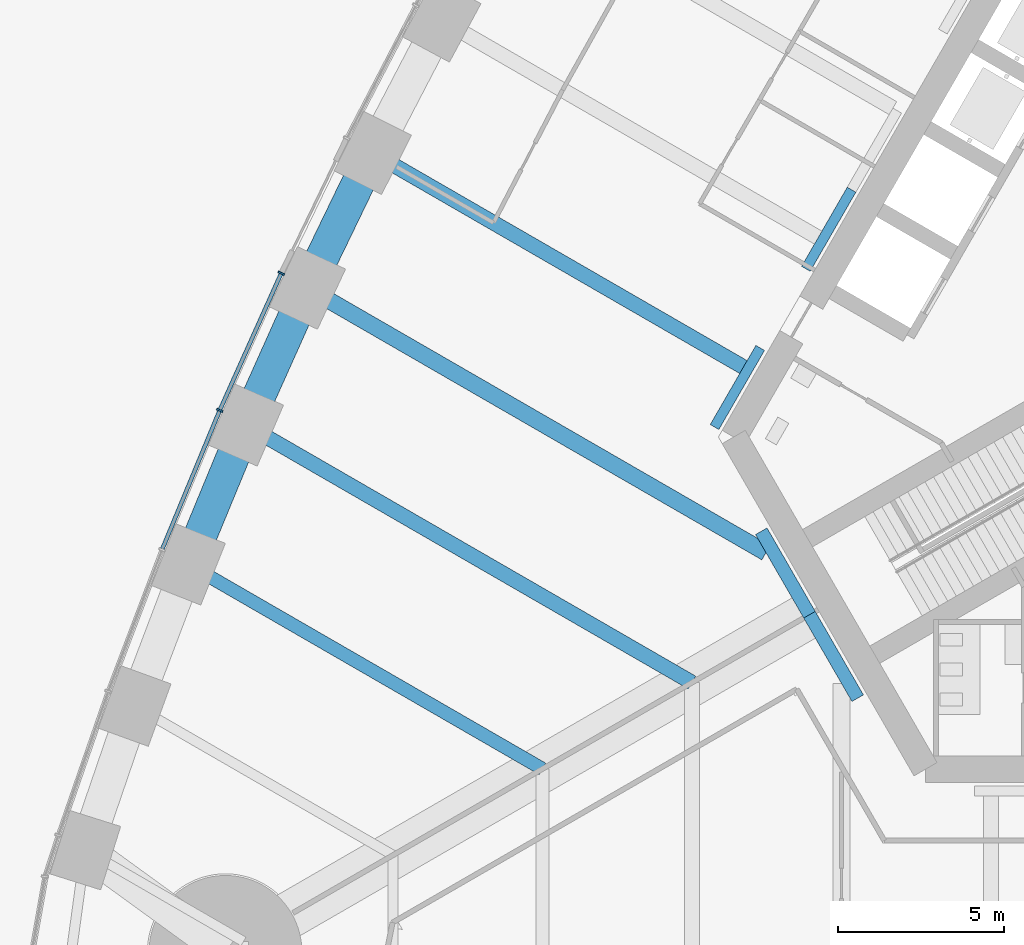
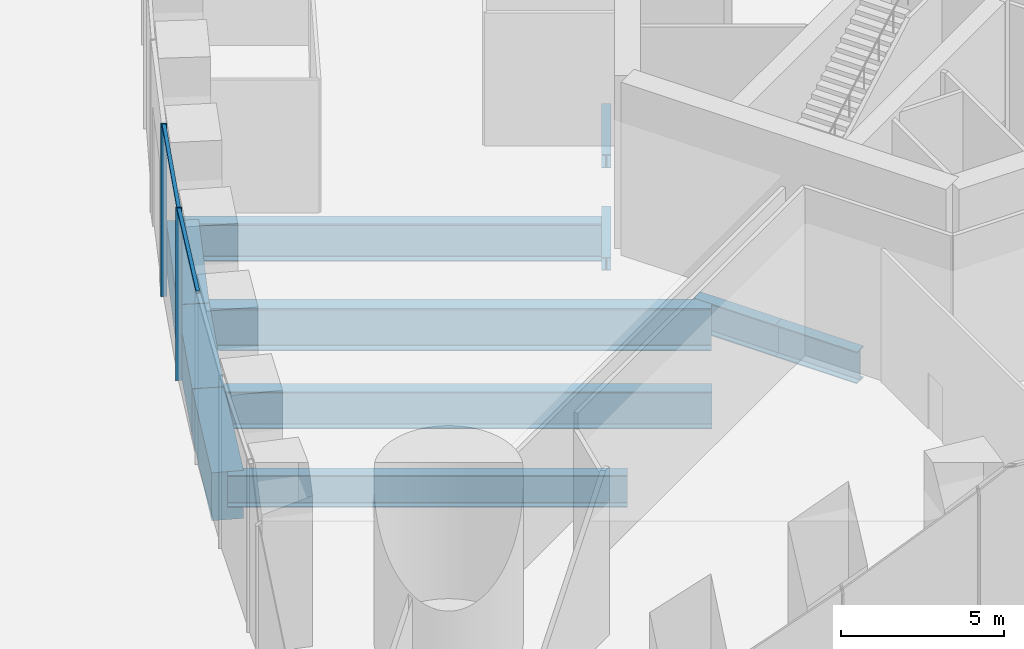
# One storey, part 4 of 43: 11 beams, 4 members, 1 element without a shape of its own.
"""IFC4 building model written with IfcOpenShell, lengths in metres."""

from ifc_helpers import new_model, si_unit, direction, frame, origin, origin_2d, place, context, subcontext, project, spatial, rectangle, i_section, extrude, material, material_profile, profile_set, type_object, element, aggregate, save


model = new_model("IFC4")

# Units and contexts
model_context = context("Model", 3, precision=1e-05, world=origin(), true_north=direction((0.0, 1.0)))
body_context = subcontext(model_context, "Body", "Model", "MODEL_VIEW")
ifc_project = project(units=[si_unit("LENGTHUNIT", "METRE"), si_unit("AREAUNIT", "SQUARE_METRE"), si_unit("VOLUMEUNIT", "CUBIC_METRE"), si_unit("PLANEANGLEUNIT", "RADIAN"), si_unit("MASSUNIT", "GRAM", prefix="KILO")], contexts=[model_context])

# Site, building, storey
site_placement = place(None, origin())
site = spatial("IfcSite", under=ifc_project, at=site_placement, CompositionType="ELEMENT")
building_placement = place(site_placement, origin())
building = spatial("IfcBuilding", under=site, at=building_placement, Name="Trefoil Bronze Tower", CompositionType="ELEMENT")
storey_placement = place(building_placement, origin())
storey = spatial("IfcBuildingStorey", under=building, at=storey_placement, Name="L00", CompositionType="ELEMENT", Elevation=0.0)

# Curtain wall, members
ifc_material_1 = material(Name="Tinted solar-control glass", Category="glass")
curtain_wall_type = type_object("IfcCurtainWallType", Name="Bronze podium storefront curtain wall", PredefinedType="USERDEFINED", material=ifc_material_1)
curtain_wall_placement = place(storey_placement, origin())
curtain_wall = element("IfcCurtainWall", 1, at=curtain_wall_placement, inside=storey, type_object=curtain_wall_type, Name="CW-C L00 F3 run 5", ObjectType="CURTAIN WALL", PredefinedType="USERDEFINED")
ifc_material_2 = material(Name="Bronze-finish aluminium", Category="aluminium")
ifc_material_profile_1 = material_profile(ifc_material_2, rectangle(XDim=0.199951171875, YDim=0.06005859375, at=origin_2d()), Name="CW-C mullion")
ifc_profile_set_1 = profile_set([ifc_material_profile_1], Name="Bronze-finish aluminium")
member_type_1 = type_object("IfcMemberType", Name="Bronze podium storefront curtain wall mullion", PredefinedType="MULLION", material=ifc_profile_set_1)
member_1_placement = place(storey_placement, frame((-30.362548828125, 1.9296875, 0.0), z_axis=(0.0, 0.0, 1.0), x_axis=(0.912329705111, -0.40945635808, 0.0)))
member_1 = element("IfcMember", 2, at=member_1_placement, type_object=member_type_1, Name="CW-C L00 F3 run 5 mullion 1", PredefinedType="MULLION", context=body_context, shape_type="SweptSolid", body=[
    extrude(rectangle(XDim=0.199951171875, YDim=0.06005859375, at=origin_2d()), origin(), (0.0, 0.0, 1.0), 6.47998046875),
])
member_2_placement = place(storey_placement, frame((-32.21533203125, -2.198486328125, 0.0), z_axis=(0.0, 0.0, 1.0), x_axis=(0.918213748442, -0.396085233469, 0.0)))
member_2 = element("IfcMember", 3, at=member_2_placement, type_object=member_type_1, Name="CW-C L00 F3 run 5 mullion 2", PredefinedType="MULLION", context=body_context, shape_type="SweptSolid", body=[
    extrude(rectangle(XDim=0.199951171875, YDim=0.06005859375, at=origin_2d()), origin(), (0.0, 0.0, 1.0), 6.47998046875),
])
ifc_material_3 = material(Name="Bronze-finish aluminium", Category="aluminium")
ifc_material_profile_2 = material_profile(ifc_material_3, rectangle(XDim=0.1201171875, YDim=0.10009765625, at=origin_2d()), Name="CW-C transom")
ifc_profile_set_2 = profile_set([ifc_material_profile_2], Name="Bronze-finish aluminium")
member_type_2 = type_object("IfcMemberType", Name="Bronze podium storefront curtain wall transom", PredefinedType="USERDEFINED", material=ifc_profile_set_2)
member_3_placement = place(storey_placement, frame((-30.374755859375, 1.90234375, 6.429931640625), z_axis=(-0.409454767225, -0.91233041909, 0.0), x_axis=(0.91233041909, -0.409454767225, 0.0)))
member_3 = element("IfcMember", 4, at=member_3_placement, type_object=member_type_2, Name="CW-C L00 F3 run 5 transom 1", ObjectType="TRANSOM", PredefinedType="USERDEFINED", context=body_context, shape_type="SweptSolid", body=[
    extrude(rectangle(XDim=0.1201171875, YDim=0.10009765625, at=origin_2d()), origin(), (0.0, 0.0, 1.0), 4.463623046875),
])
member_4_placement = place(storey_placement, frame((-32.227294921875, -2.2275390625, 6.429931640625), z_axis=(-0.382594106546, -0.923916527418, 0.0), x_axis=(0.923916527418, -0.382594106546, 0.0)))
member_4 = element("IfcMember", 5, at=member_4_placement, type_object=member_type_2, Name="CW-C L00 F3 run 5 transom 2", ObjectType="TRANSOM", PredefinedType="USERDEFINED", context=body_context, shape_type="SweptSolid", body=[
    extrude(rectangle(XDim=0.1201171875, YDim=0.10009765625, at=origin_2d()), origin(), (0.0, 0.0, 1.0), 4.47900390625),
])
aggregate(curtain_wall, [member_1, member_2, member_3, member_4])

# Beams
ifc_material_4 = material(Name="Steel C355", Category="steel")
ifc_material_profile_3 = material_profile(ifc_material_4, i_section(OverallWidth=0.300048828125, OverallDepth=0.5, WebThickness=0.014404296875, FlangeThickness=0.028076171875, FilletRadius=0.027099609375, at=origin_2d()), Name="HEB 500")
ifc_profile_set_3 = profile_set([ifc_material_profile_3], Name="Steel C355")
beam_type_1 = type_object("IfcBeamType", Name="Core seat beam HEB 500", PredefinedType="BEAM", material=ifc_profile_set_3)
beam_1_placement = place(storey_placement, frame((-13.196044921875, 4.44384765625, -0.550048828125), z_axis=(-0.499968400327, -0.866043647095, 0.0), x_axis=(0.866043647095, -0.499968400327, 0.0)))
element("IfcBeam", 6, at=beam_1_placement, inside=storey, type_object=beam_type_1, Name="Core seat beam F3/+1 L00", PredefinedType="BEAM", context=body_context, shape_type="SweptSolid", body=[
    extrude(i_section(OverallWidth=0.300048828125, OverallDepth=0.5, WebThickness=0.014404296875, FlangeThickness=0.028076171875, FilletRadius=0.027099609375, at=origin_2d()), origin(), (0.0, 0.0, 1.0), 2.749755859375),
])
beam_2_placement = place(storey_placement, frame((-15.94580078125, -0.31884765625, -0.550048828125), z_axis=(-0.500006847747, -0.8660214502, 0.0), x_axis=(0.8660214502, -0.500006847747, 0.0)))
element("IfcBeam", 7, at=beam_2_placement, inside=storey, type_object=beam_type_1, Name="Core seat beam F3/+2 L00", PredefinedType="BEAM", context=body_context, shape_type="SweptSolid", body=[
    extrude(i_section(OverallWidth=0.300048828125, OverallDepth=0.5, WebThickness=0.014404296875, FlangeThickness=0.028076171875, FilletRadius=0.027099609375, at=origin_2d()), origin(), (0.0, 0.0, 1.0), 2.74951171875),
])
ifc_material_5 = material(Name="Steel C355", Category="steel")
ifc_material_profile_4 = material_profile(ifc_material_5, i_section(OverallWidth=0.39990234375, OverallDepth=1.199951171875, WebThickness=0.02001953125, FlangeThickness=0.0400390625, FilletRadius=0.010009765625, at=origin_2d()), Name="WPG 1200")
ifc_profile_set_4 = profile_set([ifc_material_profile_4], Name="Steel C355")
beam_type_2 = type_object("IfcBeamType", Name="Core seat beam WPG 1200", PredefinedType="BEAM", material=ifc_profile_set_4)
beam_3_placement = place(storey_placement, frame((-14.462646484375, -8.35009765625, -0.89990234375), z_axis=(0.500030823262, -0.866007607235, 0.0), x_axis=(0.866007607235, 0.500030823262, 0.0)))
element("IfcBeam", 8, at=beam_3_placement, inside=storey, type_object=beam_type_2, Name="Core seat beam F1/-3 L00", PredefinedType="BEAM", context=body_context, shape_type="SweptSolid", body=[
    extrude(i_section(OverallWidth=0.39990234375, OverallDepth=1.199951171875, WebThickness=0.02001953125, FlangeThickness=0.0400390625, FilletRadius=0.010009765625, at=origin_2d()), origin(), (0.0, 0.0, 1.0), 2.901123046875),
])
beam_4_placement = place(storey_placement, frame((-15.913330078125, -5.83740234375, -0.89990234375), z_axis=(0.499994385119, -0.866028645513, 0.0), x_axis=(0.866028645513, 0.499994385119, 0.0)))
element("IfcBeam", 9, at=beam_4_placement, inside=storey, type_object=beam_type_2, Name="Core seat beam F3/+3 L00", PredefinedType="BEAM", context=body_context, shape_type="SweptSolid", body=[
    extrude(i_section(OverallWidth=0.39990234375, OverallDepth=1.199951171875, WebThickness=0.02001953125, FlangeThickness=0.0400390625, FilletRadius=0.010009765625, at=origin_2d()), origin(), (0.0, 0.0, 1.0), 2.9013671875),
])
ifc_material_6 = material(Name="Steel C355", Category="steel")
ifc_material_profile_5 = material_profile(ifc_material_6, i_section(OverallWidth=0.39990234375, OverallDepth=1.199951171875, WebThickness=0.02001953125, FlangeThickness=0.0400390625, FilletRadius=0.010009765625, at=origin_2d()), Name="WPG 1200")
ifc_profile_set_5 = profile_set([ifc_material_profile_5], Name="Steel C355")
beam_type_3 = type_object("IfcBeamType", Name="Floor beam WPG 1200", PredefinedType="BEAM", material=ifc_profile_set_5)
beam_5_placement = place(storey_placement, frame((-33.159912109375, -6.8359375, -0.89990234375), z_axis=(0.866024070878, -0.500002308654, 0.0), x_axis=(0.500002308654, 0.866024070878, 0.0)))
element("IfcBeam", 10, at=beam_5_placement, inside=storey, type_object=beam_type_3, Name="Floor beam F3/+5 L00", PredefinedType="BEAM", context=body_context, shape_type="SweptSolid", body=[
    extrude(i_section(OverallWidth=0.39990234375, OverallDepth=1.199951171875, WebThickness=0.02001953125, FlangeThickness=0.0400390625, FilletRadius=0.010009765625, at=origin_2d()), origin(), (0.0, 0.0, 1.0), 12.30908203125),
])
ifc_material_7 = material(Name="Steel C355", Category="steel")
ifc_material_profile_6 = material_profile(ifc_material_7, i_section(OverallWidth=0.449951171875, OverallDepth=1.39990234375, WebThickness=0.02294921875, FlangeThickness=0.044921875, FilletRadius=0.011962890625, at=origin_2d()), Name="WPG 1400")
ifc_profile_set_6 = profile_set([ifc_material_profile_6], Name="Steel C355")
beam_type_4 = type_object("IfcBeamType", Name="Floor beam WPG 1400", PredefinedType="BEAM", material=ifc_profile_set_6)
beam_6_placement = place(storey_placement, frame((-27.61083984375, 5.548828125, -1.0), z_axis=(0.866022785136, -0.500004535605, 0.0), x_axis=(0.500004535605, 0.866022785136, 0.0)))
element("IfcBeam", 11, at=beam_6_placement, inside=storey, type_object=beam_type_4, Name="Floor beam F3/+2 L00", PredefinedType="BEAM", context=body_context, shape_type="SweptSolid", body=[
    extrude(i_section(OverallWidth=0.449951171875, OverallDepth=1.39990234375, WebThickness=0.02294921875, FlangeThickness=0.044921875, FilletRadius=0.011962890625, at=origin_2d()), origin(), (0.0, 0.0, 1.0), 12.88623046875),
])
beam_7_placement = place(storey_placement, frame((-31.42578125, -2.640869140625, -1.0), z_axis=(0.866022989816, -0.500004181093, 0.0), x_axis=(0.500004181093, 0.866022989816, 0.0)))
element("IfcBeam", 12, at=beam_7_placement, inside=storey, type_object=beam_type_4, Name="Floor beam F3/+4 L00", PredefinedType="BEAM", context=body_context, shape_type="SweptSolid", body=[
    extrude(i_section(OverallWidth=0.449951171875, OverallDepth=1.39990234375, WebThickness=0.02294921875, FlangeThickness=0.044921875, FilletRadius=0.011962890625, at=origin_2d()), origin(), (0.0, 0.0, 1.0), 15.502685546875),
])
ifc_material_8 = material(Name="Steel C355", Category="steel")
ifc_material_profile_7 = material_profile(ifc_material_8, i_section(OverallWidth=0.5, OverallDepth=1.60009765625, WebThickness=0.02587890625, FlangeThickness=0.050048828125, FilletRadius=0.011962890625, at=origin_2d()), Name="WPG 1600")
ifc_profile_set_7 = profile_set([ifc_material_profile_7], Name="Steel C355")
beam_type_5 = type_object("IfcBeamType", Name="Floor beam WPG 1600", PredefinedType="BEAM", material=ifc_profile_set_7)
beam_8_placement = place(storey_placement, frame((-29.575927734375, 1.487060546875, -1.10009765625), z_axis=(0.866028978026, -0.499993809181, 0.0), x_axis=(0.499993809181, 0.866028978026, 0.0)))
element("IfcBeam", 13, at=beam_8_placement, inside=storey, type_object=beam_type_5, Name="Floor beam F3/+3 L00", PredefinedType="BEAM", context=body_context, shape_type="SweptSolid", body=[
    extrude(i_section(OverallWidth=0.5, OverallDepth=1.60009765625, WebThickness=0.02587890625, FlangeThickness=0.050048828125, FilletRadius=0.011962890625, at=origin_2d()), origin(), (0.0, 0.0, 1.0), 15.939697265625),
])
ifc_material_9 = material(Name="Concrete B80", Category="concrete")
ifc_material_profile_8 = material_profile(ifc_material_9, rectangle(XDim=1.0, YDim=1.800048828125, at=origin_2d()), Name="RC 1000x1800")
ifc_profile_set_8 = profile_set([ifc_material_profile_8], Name="Concrete B80")
beam_type_6 = type_object("IfcBeamType", Name="Spandrel beam RC 1000x1800", PredefinedType="SPANDREL", material=ifc_profile_set_8)
beam_9_placement = place(storey_placement, frame((-27.61083984375, 5.548828125, -1.199951171875), z_axis=(-0.435510013583, -0.900183885697, 0.0), x_axis=(0.900183885697, -0.435510013583, 0.0)))
element("IfcBeam", 14, at=beam_9_placement, inside=storey, type_object=beam_type_6, Name="Spandrel F3.11 L00", PredefinedType="SPANDREL", context=body_context, shape_type="SweptSolid", body=[
    extrude(rectangle(XDim=1.0, YDim=1.800048828125, at=origin_2d()), origin(), (0.0, 0.0, 1.0), 4.51220703125),
])
beam_10_placement = place(storey_placement, frame((-29.575927734375, 1.487060546875, -1.199951171875), z_axis=(-0.408945873044, -0.912558640812, 0.0), x_axis=(0.912558640812, -0.408945873044, 0.0)))
element("IfcBeam", 15, at=beam_10_placement, inside=storey, type_object=beam_type_6, Name="Spandrel F3.12 L00", PredefinedType="SPANDREL", context=body_context, shape_type="SweptSolid", body=[
    extrude(rectangle(XDim=1.0, YDim=1.800048828125, at=origin_2d()), origin(), (0.0, 0.0, 1.0), 4.5234375),
])
beam_11_placement = place(storey_placement, frame((-31.42578125, -2.640869140625, -1.199951171875), z_axis=(-0.382020825144, -0.924153715113, 0.0), x_axis=(0.924153715113, -0.382020825144, 0.0)))
element("IfcBeam", 16, at=beam_11_placement, inside=storey, type_object=beam_type_6, Name="Spandrel F3.13 L00", PredefinedType="SPANDREL", context=body_context, shape_type="SweptSolid", body=[
    extrude(rectangle(XDim=1.0, YDim=1.800048828125, at=origin_2d()), origin(), (0.0, 0.0, 1.0), 4.539306640625),
])

save(model, "model.ifc")
